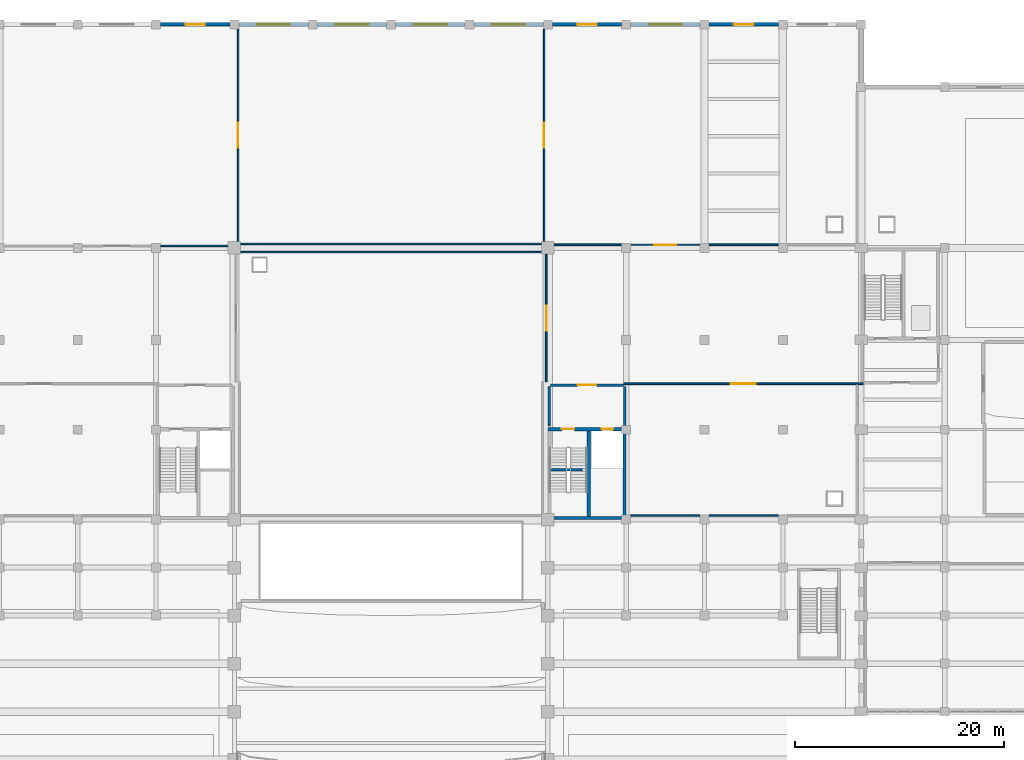
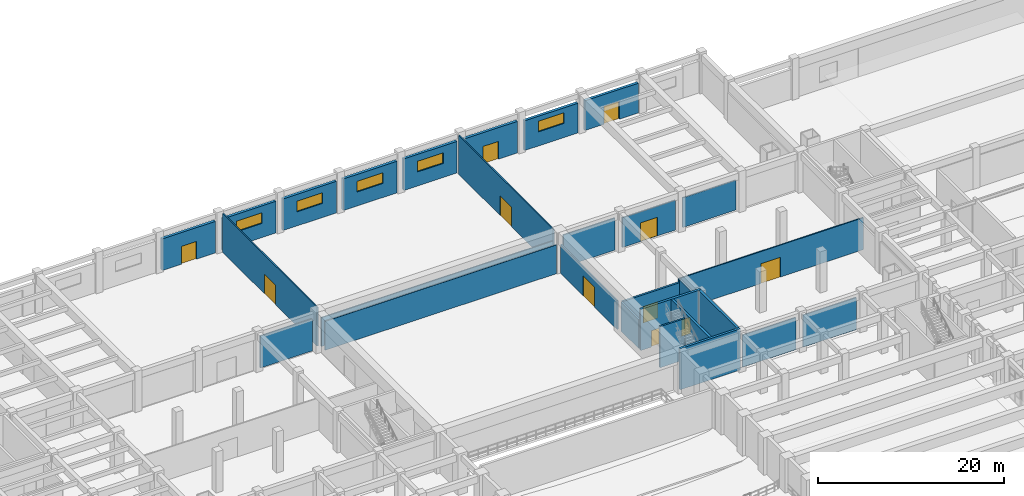
# One storey, part 67 of 84: 28 walls, 11 doors, 5 windows, 16 openings.
"""IFC4 building model written with IfcOpenShell, lengths in metres."""

from ifc_helpers import new_model, si_unit, direction, frame, frame_2d, origin, place, context, subcontext, project, spatial, rectangle, extrude, material, layer, layer_set, type_object, element, fill, save


model = new_model("IFC4")

# Units and contexts
model_context = context("Model", 3, precision=1e-05, world=origin(), true_north=direction((0.0, 1.0)))
body_context = subcontext(model_context, "Body", "Model", "MODEL_VIEW")
ifc_project = project(units=[si_unit("LENGTHUNIT", "METRE"), si_unit("AREAUNIT", "SQUARE_METRE"), si_unit("VOLUMEUNIT", "CUBIC_METRE"), si_unit("PLANEANGLEUNIT", "RADIAN"), si_unit("MASSUNIT", "GRAM", prefix="KILO")], contexts=[model_context])

# Site, building, storey
site_placement = place(None, origin())
site = spatial("IfcSite", under=ifc_project, at=site_placement, CompositionType="ELEMENT")
building_placement = place(site_placement, origin())
building = spatial("IfcBuilding", under=site, at=building_placement, Name="Muzn Square Opera House", CompositionType="ELEMENT")
storey_placement = place(building_placement, origin())
storey = spatial("IfcBuildingStorey", under=building, at=storey_placement, Name="L00", CompositionType="ELEMENT", Elevation=0.0)

# Walls
ifc_material_1 = material(Name="Concrete C45/55", Category="concrete")
ifc_layer_1 = layer(ifc_material_1, 0.300048828125, Name="Concrete C45/55", Category="concrete")
ifc_layer_set_1 = layer_set([ifc_layer_1], Name="Concrete C45/55")
wall_type_1 = type_object("IfcWallType", Name="Core Shear Wall 300mm", PredefinedType="SHEAR", material=ifc_layer_set_1)
wall_1_placement = place(storey_placement, frame((103.0, 72.75, 0.0), z_axis=(0.0, 0.0, 1.0), x_axis=(1.0, 0.0, 0.0)))
element("IfcWall", 1, at=wall_1_placement, inside=storey, type_object=wall_type_1, Name="Core C2 Shear Wall SW-C2-L00-S", PredefinedType="SHEAR", context=body_context, shape_type="SweptSolid", body=[
    extrude(rectangle(XDim=7.5, YDim=0.300048828125, at=frame_2d((3.75, 0.0))), origin(), (0.0, 0.0, 1.0), 5.39990234375),
])
for number, where, z_axis, x_axis, name in (
    (2, (110.35009765625, 72.89990234375, 0.0), (0.0, 0.0, 1.0), (0.0, 1.0, 0.0), "Core C2 Shear Wall SW-C2-L00-E"),
    (3, (106.919921875, 72.89990234375, 0.0), (0.0, 0.0, 1.0), (0.0, 1.0, 0.0), "Core C2 Shear Wall SW-C2-L00-DIV"),
):
    element("IfcWall", number, at=place(storey_placement, frame(where, z_axis=z_axis, x_axis=x_axis)), inside=storey, type_object=wall_type_1, Name=name, PredefinedType="SHEAR", context=body_context, shape_type="SweptSolid", body=[
        extrude(rectangle(XDim=8.2001953125, YDim=0.300048828125, at=frame_2d((4.10009765625, 0.0))), origin(), (0.0, 0.0, 1.0), 5.39990234375),
    ])

# Wall, openings, doors
wall_2_placement = place(storey_placement, frame((103.0, 81.25, 0.0), z_axis=(0.0, 0.0, 1.0), x_axis=(1.0, 0.0, 0.0)))
wall_2 = element("IfcWall", 4, at=wall_2_placement, inside=storey, type_object=wall_type_1, Name="Core C2 Front Shear Wall L00", PredefinedType="SHEAR", context=body_context, shape_type="SweptSolid", body=[
    extrude(rectangle(XDim=7.5, YDim=0.300048828125, at=frame_2d((3.75, 0.0))), origin(), (0.0, 0.0, 1.0), 5.39990234375),
])
opening_1_placement = place(wall_2_placement, frame((1.35009765625, 0.0, 0.0)))
opening_1 = element("IfcOpeningElement", 5, at=opening_1_placement, cuts=wall_2, Name="Opening DR-ST12", PredefinedType="OPENING", context=body_context, shape_type="SweptSolid", body=[
    extrude(rectangle(XDim=1.199951171875, YDim=2.14990234375, at=frame_2d((0.60009765625, 1.074951171875))), frame((0.0, 0.159912109375, 0.0), z_axis=(0.0, -1.0, 0.0), x_axis=(1.0, 0.0, 0.0)), (0.0, 0.0, 1.0), 0.320068359375),
])
opening_2_placement = place(wall_2_placement, frame((5.14990234375, 0.0, 0.0)))
opening_2 = element("IfcOpeningElement", 6, at=opening_2_placement, cuts=wall_2, Name="Opening LD-01", PredefinedType="OPENING", context=body_context, shape_type="SweptSolid", body=[
    extrude(rectangle(XDim=1.10009765625, YDim=2.14990234375, at=frame_2d((0.550048828125, 1.074951171875))), frame((0.0, 0.159912109375, 0.0), z_axis=(0.0, -1.0, 0.0), x_axis=(1.0, 0.0, 0.0)), (0.0, 0.0, 1.0), 0.320068359375),
])
ifc_material_2 = material(Name="Galvanised painted steel leaf", Category="metal")
door_type_1 = type_object("IfcDoorType", Name="Core Stair Fire Door 1200x2150", OperationType="NOTDEFINED", PredefinedType="DOOR", material=ifc_material_2)
door_1_placement = place(opening_1_placement, origin())
door_1 = element("IfcDoor", 7, at=door_1_placement, inside=storey, type_object=door_type_1, Name="Core C2 Stair Door L00", OperationType="SINGLE_SWING_LEFT", OverallHeight=2.14990234375, OverallWidth=1.199951171875, PredefinedType="DOOR", context=body_context, shape_type="SweptSolid", body=[
    extrude(rectangle(XDim=1.199951171875, YDim=2.14990234375, at=frame_2d((0.60009765625, 1.074951171875))), frame((0.0, 0.02490234375, 0.0), z_axis=(0.0, -1.0, 0.0), x_axis=(1.0, 0.0, 0.0)), (0.0, 0.0, 1.0), 0.050048828125),
])
fill(opening_1, door_1)
ifc_material_3 = material(Name="Brushed stainless steel", Category="metal")
door_type_2 = type_object("IfcDoorType", Name="Lift Landing Sliding Door 1100x2150", OperationType="SLIDING_TO_LEFT", PredefinedType="DOOR", material=ifc_material_3)
door_2_placement = place(opening_2_placement, origin())
door_2 = element("IfcDoor", 8, at=door_2_placement, inside=storey, type_object=door_type_2, Name="Lift FFL-2 Sliding Landing Door L00", OperationType="SLIDING_TO_LEFT", OverallHeight=2.14990234375, OverallWidth=1.10009765625, PredefinedType="DOOR", context=body_context, shape_type="SweptSolid", body=[
    extrude(rectangle(XDim=1.10009765625, YDim=2.14990234375, at=frame_2d((0.550048828125, 1.074951171875))), frame((0.0, 0.02490234375, 0.0), z_axis=(0.0, -1.0, 0.0), x_axis=(1.0, 0.0, 0.0)), (0.0, 0.0, 1.0), 0.050048828125),
])
fill(opening_2, door_2)

# Wall, opening, door
ifc_material_4 = material(Name="Concrete C40/50", Category="concrete")
ifc_layer_2 = layer(ifc_material_4, 0.340087890625, Name="Concrete C40/50", Category="concrete")
ifc_layer_set_2 = layer_set([ifc_layer_2], Name="Concrete C40/50")
wall_type_2 = type_object("IfcWallType", Name="Exterior Insulated Spandrel Wall 340mm", PredefinedType="SOLIDWALL", material=ifc_layer_set_2)
wall_3_placement = place(storey_placement, frame((65.925048828125, 120.0, 0.0), z_axis=(0.0, 0.0, 1.0), x_axis=(1.0, 0.0, 0.0)))
wall_3 = element("IfcWall", 9, at=wall_3_placement, inside=storey, type_object=wall_type_2, Name="Exterior Facade Wall EW-L00-034", PredefinedType="SOLIDWALL", context=body_context, shape_type="SweptSolid", body=[
    extrude(rectangle(XDim=6.64990234375, YDim=0.340087890625, at=frame_2d((3.324951171875, 0.0))), origin(), (0.0, 0.0, 1.0), 4.14990234375),
])
opening_3_placement = place(wall_3_placement, frame((2.375, 0.0, 0.0)))
opening_3 = element("IfcOpeningElement", 10, at=opening_3_placement, cuts=wall_3, Name="Opening DR-EX19", PredefinedType="OPENING", context=body_context, shape_type="SweptSolid", body=[
    extrude(rectangle(XDim=1.89990234375, YDim=2.35009765625, at=frame_2d((0.949951171875, 1.175048828125))), frame((0.0, 0.179931640625, 0.0), z_axis=(0.0, -1.0, 0.0), x_axis=(1.0, 0.0, 0.0)), (0.0, 0.0, 1.0), 0.360107421875),
])
ifc_material_5 = material(Name="Anodised bronze aluminium", Category="metal")
door_type_3 = type_object("IfcDoorType", Name="Pedestrian Final Exit Door 1900x2350", OperationType="DOUBLE_DOOR_SINGLE_SWING", PredefinedType="DOOR", material=ifc_material_5)
door_3_placement = place(opening_3_placement, origin())
door_3 = element("IfcDoor", 11, at=door_3_placement, inside=storey, type_object=door_type_3, Name="North Backstage Pedestrian Final Exit Door E-N05", OperationType="DOUBLE_DOOR_SINGLE_SWING", OverallHeight=2.35009765625, OverallWidth=1.89990234375, PredefinedType="DOOR", context=body_context, shape_type="SweptSolid", body=[
    extrude(rectangle(XDim=1.89990234375, YDim=2.35009765625, at=frame_2d((0.949951171875, 1.175048828125))), frame((0.0, 0.02490234375, 0.0), z_axis=(0.0, -1.0, 0.0), x_axis=(1.0, 0.0, 0.0)), (0.0, 0.0, 1.0), 0.050048828125),
])
fill(opening_3, door_3)

# Wall, opening, window
wall_4_placement = place(storey_placement, frame((73.425048828125, 120.0, 0.0), z_axis=(0.0, 0.0, 1.0), x_axis=(1.0, 0.0, 0.0)))
wall_4 = element("IfcWall", 12, at=wall_4_placement, inside=storey, type_object=wall_type_2, Name="Exterior Facade Wall EW-L00-035", PredefinedType="SOLIDWALL", context=body_context, shape_type="SweptSolid", body=[
    extrude(rectangle(XDim=6.64990234375, YDim=0.340087890625, at=frame_2d((3.324951171875, 0.0))), origin(), (0.0, 0.0, 1.0), 4.14990234375),
])
opening_4_placement = place(wall_4_placement, frame((1.72509765625, 0.0, 1.85009765625)))
opening_4 = element("IfcOpeningElement", 13, at=opening_4_placement, cuts=wall_4, Name="Opening WN-S3214", PredefinedType="OPENING", context=body_context, shape_type="SweptSolid", body=[
    extrude(rectangle(XDim=3.199951171875, YDim=1.39990234375, at=frame_2d((1.60009765625, 0.699951171875))), frame((0.0, 0.179931640625, 0.0), z_axis=(0.0, -1.0, 0.0), x_axis=(1.0, 0.0, 0.0)), (0.0, 0.0, 1.0), 0.360107421875),
])
ifc_material_6 = material(Name="Low-E laminated acoustic double glazing", Category="glass")
window_type = type_object("IfcWindowType", Name="Scenery Clerestory Window 3200x1400", PartitioningType="TRIPLE_PANEL_VERTICAL", PredefinedType="WINDOW", material=ifc_material_6)
window_1_placement = place(opening_4_placement, origin())
window_1 = element("IfcWindow", 14, at=window_1_placement, inside=storey, type_object=window_type, Name="Scenery Clerestory Window 3200x1400 EW-L00-035-WN01", OverallHeight=1.39990234375, OverallWidth=3.199951171875, PartitioningType="SINGLE_PANEL", PredefinedType="WINDOW", context=body_context, shape_type="SweptSolid", body=[
    extrude(rectangle(XDim=3.199951171875, YDim=1.39990234375, at=frame_2d((1.60009765625, 0.699951171875))), frame((0.0, 0.030029296875, 0.0), z_axis=(0.0, -1.0, 0.0), x_axis=(1.0, 0.0, 0.0)), (0.0, 0.0, 1.0), 0.06005859375),
])
fill(opening_4, window_1)

wall_5_placement = place(storey_placement, frame((80.925048828125, 120.0, 0.0), z_axis=(0.0, 0.0, 1.0), x_axis=(1.0, 0.0, 0.0)))
wall_5 = element("IfcWall", 15, at=wall_5_placement, inside=storey, type_object=wall_type_2, Name="Exterior Facade Wall EW-L00-036", PredefinedType="SOLIDWALL", context=body_context, shape_type="SweptSolid", body=[
    extrude(rectangle(XDim=6.64990234375, YDim=0.340087890625, at=frame_2d((3.324951171875, 0.0))), origin(), (0.0, 0.0, 1.0), 4.14990234375),
])
opening_5_placement = place(wall_5_placement, frame((1.72509765625, 0.0, 1.85009765625)))
opening_5 = element("IfcOpeningElement", 16, at=opening_5_placement, cuts=wall_5, Name="Opening WN-S3214", PredefinedType="OPENING", context=body_context, shape_type="SweptSolid", body=[
    extrude(rectangle(XDim=3.199951171875, YDim=1.39990234375, at=frame_2d((1.60009765625, 0.699951171875))), frame((0.0, 0.179931640625, 0.0), z_axis=(0.0, -1.0, 0.0), x_axis=(1.0, 0.0, 0.0)), (0.0, 0.0, 1.0), 0.360107421875),
])
window_2_placement = place(opening_5_placement, origin())
window_2 = element("IfcWindow", 17, at=window_2_placement, inside=storey, type_object=window_type, Name="Scenery Clerestory Window 3200x1400 EW-L00-036-WN01", OverallHeight=1.39990234375, OverallWidth=3.199951171875, PartitioningType="SINGLE_PANEL", PredefinedType="WINDOW", context=body_context, shape_type="SweptSolid", body=[
    extrude(rectangle(XDim=3.199951171875, YDim=1.39990234375, at=frame_2d((1.60009765625, 0.699951171875))), frame((0.0, 0.030029296875, 0.0), z_axis=(0.0, -1.0, 0.0), x_axis=(1.0, 0.0, 0.0)), (0.0, 0.0, 1.0), 0.06005859375),
])
fill(opening_5, window_2)

wall_6_placement = place(storey_placement, frame((88.425048828125, 120.0, 0.0), z_axis=(0.0, 0.0, 1.0), x_axis=(1.0, 0.0, 0.0)))
wall_6 = element("IfcWall", 18, at=wall_6_placement, inside=storey, type_object=wall_type_2, Name="Exterior Facade Wall EW-L00-037", PredefinedType="SOLIDWALL", context=body_context, shape_type="SweptSolid", body=[
    extrude(rectangle(XDim=6.64990234375, YDim=0.340087890625, at=frame_2d((3.324951171875, 0.0))), origin(), (0.0, 0.0, 1.0), 4.14990234375),
])
opening_6_placement = place(wall_6_placement, frame((1.72509765625, 0.0, 1.85009765625)))
opening_6 = element("IfcOpeningElement", 19, at=opening_6_placement, cuts=wall_6, Name="Opening WN-S3214", PredefinedType="OPENING", context=body_context, shape_type="SweptSolid", body=[
    extrude(rectangle(XDim=3.199951171875, YDim=1.39990234375, at=frame_2d((1.60009765625, 0.699951171875))), frame((0.0, 0.179931640625, 0.0), z_axis=(0.0, -1.0, 0.0), x_axis=(1.0, 0.0, 0.0)), (0.0, 0.0, 1.0), 0.360107421875),
])
window_3_placement = place(opening_6_placement, origin())
window_3 = element("IfcWindow", 20, at=window_3_placement, inside=storey, type_object=window_type, Name="Scenery Clerestory Window 3200x1400 EW-L00-037-WN01", OverallHeight=1.39990234375, OverallWidth=3.199951171875, PartitioningType="SINGLE_PANEL", PredefinedType="WINDOW", context=body_context, shape_type="SweptSolid", body=[
    extrude(rectangle(XDim=3.199951171875, YDim=1.39990234375, at=frame_2d((1.60009765625, 0.699951171875))), frame((0.0, 0.030029296875, 0.0), z_axis=(0.0, -1.0, 0.0), x_axis=(1.0, 0.0, 0.0)), (0.0, 0.0, 1.0), 0.06005859375),
])
fill(opening_6, window_3)

wall_7_placement = place(storey_placement, frame((95.925048828125, 120.0, 0.0), z_axis=(0.0, 0.0, 1.0), x_axis=(1.0, 0.0, 0.0)))
wall_7 = element("IfcWall", 21, at=wall_7_placement, inside=storey, type_object=wall_type_2, Name="Exterior Facade Wall EW-L00-038", PredefinedType="SOLIDWALL", context=body_context, shape_type="SweptSolid", body=[
    extrude(rectangle(XDim=6.64990234375, YDim=0.340087890625, at=frame_2d((3.324951171875, 0.0))), origin(), (0.0, 0.0, 1.0), 4.14990234375),
])
opening_7_placement = place(wall_7_placement, frame((1.72509765625, 0.0, 1.85009765625)))
opening_7 = element("IfcOpeningElement", 22, at=opening_7_placement, cuts=wall_7, Name="Opening WN-S3214", PredefinedType="OPENING", context=body_context, shape_type="SweptSolid", body=[
    extrude(rectangle(XDim=3.199951171875, YDim=1.39990234375, at=frame_2d((1.60009765625, 0.699951171875))), frame((0.0, 0.179931640625, 0.0), z_axis=(0.0, -1.0, 0.0), x_axis=(1.0, 0.0, 0.0)), (0.0, 0.0, 1.0), 0.360107421875),
])
window_4_placement = place(opening_7_placement, origin())
window_4 = element("IfcWindow", 23, at=window_4_placement, inside=storey, type_object=window_type, Name="Scenery Clerestory Window 3200x1400 EW-L00-038-WN01", OverallHeight=1.39990234375, OverallWidth=3.199951171875, PartitioningType="SINGLE_PANEL", PredefinedType="WINDOW", context=body_context, shape_type="SweptSolid", body=[
    extrude(rectangle(XDim=3.199951171875, YDim=1.39990234375, at=frame_2d((1.60009765625, 0.699951171875))), frame((0.0, 0.030029296875, 0.0), z_axis=(0.0, -1.0, 0.0), x_axis=(1.0, 0.0, 0.0)), (0.0, 0.0, 1.0), 0.06005859375),
])
fill(opening_7, window_4)

# Wall, opening, door
wall_8_placement = place(storey_placement, frame((103.425048828125, 120.0, 0.0), z_axis=(0.0, 0.0, 1.0), x_axis=(1.0, 0.0, 0.0)))
wall_8 = element("IfcWall", 24, at=wall_8_placement, inside=storey, type_object=wall_type_2, Name="Exterior Facade Wall EW-L00-039", PredefinedType="SOLIDWALL", context=body_context, shape_type="SweptSolid", body=[
    extrude(rectangle(XDim=6.64990234375, YDim=0.340087890625, at=frame_2d((3.324951171875, 0.0))), origin(), (0.0, 0.0, 1.0), 4.14990234375),
])
opening_8_placement = place(wall_8_placement, frame((2.375, 0.0, 0.0)))
opening_8 = element("IfcOpeningElement", 25, at=opening_8_placement, cuts=wall_8, Name="Opening DR-EX19", PredefinedType="OPENING", context=body_context, shape_type="SweptSolid", body=[
    extrude(rectangle(XDim=1.89990234375, YDim=2.35009765625, at=frame_2d((0.949951171875, 1.175048828125))), frame((0.0, 0.179931640625, 0.0), z_axis=(0.0, -1.0, 0.0), x_axis=(1.0, 0.0, 0.0)), (0.0, 0.0, 1.0), 0.360107421875),
])
door_4_placement = place(opening_8_placement, origin())
door_4 = element("IfcDoor", 26, at=door_4_placement, inside=storey, type_object=door_type_3, Name="North Backstage Pedestrian Final Exit Door E-N10", OperationType="DOUBLE_DOOR_SINGLE_SWING", OverallHeight=2.35009765625, OverallWidth=1.89990234375, PredefinedType="DOOR", context=body_context, shape_type="SweptSolid", body=[
    extrude(rectangle(XDim=1.89990234375, YDim=2.35009765625, at=frame_2d((0.949951171875, 1.175048828125))), frame((0.0, 0.02490234375, 0.0), z_axis=(0.0, -1.0, 0.0), x_axis=(1.0, 0.0, 0.0)), (0.0, 0.0, 1.0), 0.050048828125),
])
fill(opening_8, door_4)

# Wall, opening, window
wall_9_placement = place(storey_placement, frame((110.925048828125, 120.0, 0.0), z_axis=(0.0, 0.0, 1.0), x_axis=(1.0, 0.0, 0.0)))
wall_9 = element("IfcWall", 27, at=wall_9_placement, inside=storey, type_object=wall_type_2, Name="Exterior Facade Wall EW-L00-040", PredefinedType="SOLIDWALL", context=body_context, shape_type="SweptSolid", body=[
    extrude(rectangle(XDim=6.64990234375, YDim=0.340087890625, at=frame_2d((3.324951171875, 0.0))), origin(), (0.0, 0.0, 1.0), 3.89990234375),
])
opening_9_placement = place(wall_9_placement, frame((1.72509765625, 0.0, 1.85009765625)))
opening_9 = element("IfcOpeningElement", 28, at=opening_9_placement, cuts=wall_9, Name="Opening WN-S3214", PredefinedType="OPENING", context=body_context, shape_type="SweptSolid", body=[
    extrude(rectangle(XDim=3.199951171875, YDim=1.39990234375, at=frame_2d((1.60009765625, 0.699951171875))), frame((0.0, 0.179931640625, 0.0), z_axis=(0.0, -1.0, 0.0), x_axis=(1.0, 0.0, 0.0)), (0.0, 0.0, 1.0), 0.360107421875),
])
window_5_placement = place(opening_9_placement, origin())
window_5 = element("IfcWindow", 29, at=window_5_placement, inside=storey, type_object=window_type, Name="Scenery Clerestory Window 3200x1400 EW-L00-040-WN01", OverallHeight=1.39990234375, OverallWidth=3.199951171875, PartitioningType="SINGLE_PANEL", PredefinedType="WINDOW", context=body_context, shape_type="SweptSolid", body=[
    extrude(rectangle(XDim=3.199951171875, YDim=1.39990234375, at=frame_2d((1.60009765625, 0.699951171875))), frame((0.0, 0.030029296875, 0.0), z_axis=(0.0, -1.0, 0.0), x_axis=(1.0, 0.0, 0.0)), (0.0, 0.0, 1.0), 0.06005859375),
])
fill(opening_9, window_5)

# Wall, opening, door
wall_10_placement = place(storey_placement, frame((118.425048828125, 120.0, 0.0), z_axis=(0.0, 0.0, 1.0), x_axis=(1.0, 0.0, 0.0)))
wall_10 = element("IfcWall", 30, at=wall_10_placement, inside=storey, type_object=wall_type_2, Name="Exterior Facade Wall EW-L00-041", PredefinedType="SOLIDWALL", context=body_context, shape_type="SweptSolid", body=[
    extrude(rectangle(XDim=6.64990234375, YDim=0.340087890625, at=frame_2d((3.324951171875, 0.0))), origin(), (0.0, 0.0, 1.0), 3.89990234375),
])
opening_10_placement = place(wall_10_placement, frame((2.375, 0.0, 0.0)))
opening_10 = element("IfcOpeningElement", 31, at=opening_10_placement, cuts=wall_10, Name="Opening DR-EX19", PredefinedType="OPENING", context=body_context, shape_type="SweptSolid", body=[
    extrude(rectangle(XDim=1.89990234375, YDim=2.35009765625, at=frame_2d((0.949951171875, 1.175048828125))), frame((0.0, 0.179931640625, 0.0), z_axis=(0.0, -1.0, 0.0), x_axis=(1.0, 0.0, 0.0)), (0.0, 0.0, 1.0), 0.360107421875),
])
door_5_placement = place(opening_10_placement, origin())
door_5 = element("IfcDoor", 32, at=door_5_placement, inside=storey, type_object=door_type_3, Name="North Backstage Pedestrian Final Exit Door E-N12", OperationType="DOUBLE_DOOR_SINGLE_SWING", OverallHeight=2.35009765625, OverallWidth=1.89990234375, PredefinedType="DOOR", context=body_context, shape_type="SweptSolid", body=[
    extrude(rectangle(XDim=1.89990234375, YDim=2.35009765625, at=frame_2d((0.949951171875, 1.175048828125))), frame((0.0, 0.02490234375, 0.0), z_axis=(0.0, -1.0, 0.0), x_axis=(1.0, 0.0, 0.0)), (0.0, 0.0, 1.0), 0.050048828125),
])
fill(opening_10, door_5)

ifc_layer_3 = layer(ifc_material_4, 0.239990234375, Name="Concrete C40/50", Category="concrete")
ifc_layer_set_3 = layer_set([ifc_layer_3], Name="Concrete C40/50")
wall_type_3 = type_object("IfcWallType", Name="Firefighting Lobby Wall 240mm", PredefinedType="SOLIDWALL", material=ifc_layer_set_3)
wall_11_placement = place(storey_placement, frame((103.239990234375, 85.47998046875, 0.0), z_axis=(0.0, 0.0, 1.0), x_axis=(1.0, 0.0, 0.0)))
wall_11 = element("IfcWall", 33, at=wall_11_placement, inside=storey, type_object=wall_type_3, Name="Lobby C2 Enclosure Wall L00", PredefinedType="SOLIDWALL", context=body_context, shape_type="SweptSolid", body=[
    extrude(rectangle(XDim=7.02001953125, YDim=0.239990234375, at=frame_2d((3.510009765625, 0.0))), origin(), (0.0, 0.0, 1.0), 3.780029296875),
])
opening_11_placement = place(wall_11_placement, frame((2.610107421875, 0.0, 0.0)))
opening_11 = element("IfcOpeningElement", 34, at=opening_11_placement, cuts=wall_11, Name="Opening DR-FL18", PredefinedType="OPENING", context=body_context, shape_type="SweptSolid", body=[
    extrude(rectangle(XDim=1.800048828125, YDim=2.179931640625, at=frame_2d((0.89990234375, 1.08984375))), frame((0.0, 0.1298828125, 0.0), z_axis=(0.0, -1.0, 0.0), x_axis=(1.0, 0.0, 0.0)), (0.0, 0.0, 1.0), 0.260009765625),
])
door_type_4 = type_object("IfcDoorType", Name="Firefighting Lobby Double Door 1800x2180", OperationType="DOUBLE_DOOR_SINGLE_SWING", PredefinedType="DOOR", material=ifc_material_2)
door_6_placement = place(opening_11_placement, origin())
door_6 = element("IfcDoor", 35, at=door_6_placement, inside=storey, type_object=door_type_4, Name="Lobby C2 Fire Door L00", OperationType="DOUBLE_DOOR_SINGLE_SWING", OverallHeight=2.179931640625, OverallWidth=1.800048828125, PredefinedType="DOOR", context=body_context, shape_type="SweptSolid", body=[
    extrude(rectangle(XDim=1.800048828125, YDim=2.179931640625, at=frame_2d((0.89990234375, 1.08984375))), frame((0.0, 0.02490234375, 0.0), z_axis=(0.0, -1.0, 0.0), x_axis=(1.0, 0.0, 0.0)), (0.0, 0.0, 1.0), 0.050048828125),
])
fill(opening_11, door_6)

# Walls
wall_12_placement = place(storey_placement, frame((103.1201171875, 81.550048828125, 0.0), z_axis=(0.0, 0.0, 1.0), x_axis=(0.0, 1.0, 0.0)))
element("IfcWall", 36, at=wall_12_placement, inside=storey, type_object=wall_type_3, Name="Lobby C2 Side Wall W L00", PredefinedType="SOLIDWALL", context=body_context, shape_type="SweptSolid", body=[
    extrude(rectangle(XDim=3.81005859375, YDim=0.239990234375, at=frame_2d((1.905029296875, 0.0))), origin(), (0.0, 0.0, 1.0), 3.780029296875),
])
wall_13_placement = place(storey_placement, frame((110.3798828125, 81.550048828125, 0.0), z_axis=(0.0, 0.0, 1.0), x_axis=(0.0, 1.0, 0.0)))
element("IfcWall", 37, at=wall_13_placement, inside=storey, type_object=wall_type_3, Name="Lobby C2 Side Wall E L00", PredefinedType="SOLIDWALL", context=body_context, shape_type="SweptSolid", body=[
    extrude(rectangle(XDim=3.81005859375, YDim=0.239990234375, at=frame_2d((1.905029296875, 0.0))), origin(), (0.0, 0.0, 1.0), 4.199951171875),
])
ifc_layer_4 = layer(ifc_material_4, 0.219970703125, Name="Concrete C40/50", Category="concrete")
ifc_layer_set_4 = layer_set([ifc_layer_4], Name="Concrete C40/50")
wall_type_4 = type_object("IfcWallType", Name="Lift Lobby Wall 220mm", PredefinedType="SOLIDWALL", material=ifc_layer_set_4)
wall_14_placement = place(storey_placement, frame((103.179931640625, 77.3798828125, 0.0), z_axis=(0.0, 0.0, 1.0), x_axis=(1.0, 0.0, 0.0)))
element("IfcWall", 38, at=wall_14_placement, inside=storey, type_object=wall_type_4, Name="Core C2 Lift Shaft South Wall L00", PredefinedType="SOLIDWALL", context=body_context, shape_type="SweptSolid", body=[
    extrude(rectangle(XDim=3.1201171875, YDim=0.219970703125, at=frame_2d((1.56005859375, 0.0))), origin(), (0.0, 0.0, 1.0), 5.39990234375),
])

# Wall, opening, door
ifc_material_7 = material(Name="Acoustic gypsum stud partition", Category="gypsum")
ifc_layer_5 = layer(ifc_material_7, 0.14990234375, Name="Acoustic gypsum stud partition", Category="gypsum")
ifc_layer_set_5 = layer_set([ifc_layer_5], Name="Acoustic gypsum stud partition")
wall_type_5 = type_object("IfcWallType", Name="Office Acoustic Partition 150mm", PredefinedType="PARTITIONING", material=ifc_layer_set_5)
wall_15_placement = place(storey_placement, frame((102.85009765625, 85.800048828125, 0.0), z_axis=(0.0, 0.0, 1.0), x_axis=(0.0, 1.0, 0.0)))
wall_15 = element("IfcWall", 39, at=wall_15_placement, inside=storey, type_object=wall_type_5, Name="Interior Partition PW-L00-0040", PredefinedType="PARTITIONING", context=body_context, shape_type="SweptSolid", body=[
    extrude(rectangle(XDim=12.179931640625, YDim=0.14990234375, at=frame_2d((6.08984375, 0.0))), origin(), (0.0, 0.0, 1.0), 3.780029296875),
])
opening_12_placement = place(wall_15_placement, frame((4.889892578125, 0.0, 0.0)))
opening_12 = element("IfcOpeningElement", 40, at=opening_12_placement, cuts=wall_15, Name="Opening DR-SC24", PredefinedType="OPENING", context=body_context, shape_type="SweptSolid", body=[
    extrude(rectangle(XDim=2.39990234375, YDim=2.60009765625, at=frame_2d((1.199951171875, 1.300048828125))), frame((0.0, 0.0849609375, 0.0), z_axis=(0.0, -1.0, 0.0), x_axis=(1.0, 0.0, 0.0)), (0.0, 0.0, 1.0), 0.169921875),
])
door_type_5 = type_object("IfcDoorType", Name="Stage Scenery Double Door 2400x2600", OperationType="DOUBLE_DOOR_SINGLE_SWING", PredefinedType="DOOR", material=ifc_material_2)
door_7_placement = place(opening_12_placement, origin())
door_7 = element("IfcDoor", 41, at=door_7_placement, inside=storey, type_object=door_type_5, Name="Main Stage Door DR-L00-0014", OperationType="DOUBLE_DOOR_SINGLE_SWING", OverallHeight=2.60009765625, OverallWidth=2.39990234375, PredefinedType="DOOR", context=body_context, shape_type="SweptSolid", body=[
    extrude(rectangle(XDim=2.39990234375, YDim=2.60009765625, at=frame_2d((1.199951171875, 1.300048828125))), frame((0.0, 0.02490234375, 0.0), z_axis=(0.0, -1.0, 0.0), x_axis=(1.0, 0.0, 0.0)), (0.0, 0.0, 1.0), 0.050048828125),
])
fill(opening_12, door_7)

wall_16_placement = place(storey_placement, frame((110.264892578125, 85.60009765625, 0.0), z_axis=(0.0, 0.0, 1.0), x_axis=(1.0, 0.0, 0.0)))
wall_16 = element("IfcWall", 42, at=wall_16_placement, inside=storey, type_object=wall_type_5, Name="Interior Partition PW-L00-0044", PredefinedType="PARTITIONING", context=body_context, shape_type="SweptSolid", body=[
    extrude(rectangle(XDim=22.9501953125, YDim=0.14990234375, at=frame_2d((11.47509765625, 0.0))), origin(), (0.0, 0.0, 1.0), 4.199951171875),
])
opening_13_placement = place(wall_16_placement, frame((10.235107421875, 0.0, 0.0)))
opening_13 = element("IfcOpeningElement", 43, at=opening_13_placement, cuts=wall_16, Name="Opening DR-SC24", PredefinedType="OPENING", context=body_context, shape_type="SweptSolid", body=[
    extrude(rectangle(XDim=2.39990234375, YDim=2.60009765625, at=frame_2d((1.199951171875, 1.300048828125))), frame((0.0, 0.0849609375, 0.0), z_axis=(0.0, -1.0, 0.0), x_axis=(1.0, 0.0, 0.0)), (0.0, 0.0, 1.0), 0.169921875),
])
door_8_placement = place(opening_13_placement, origin())
door_8 = element("IfcDoor", 44, at=door_8_placement, inside=storey, type_object=door_type_5, Name="Starboard Side Stage Door DR-L00-0017", OperationType="DOUBLE_DOOR_SINGLE_SWING", OverallHeight=2.60009765625, OverallWidth=2.39990234375, PredefinedType="DOOR", context=body_context, shape_type="SweptSolid", body=[
    extrude(rectangle(XDim=2.39990234375, YDim=2.60009765625, at=frame_2d((1.199951171875, 1.300048828125))), frame((0.0, 0.02490234375, 0.0), z_axis=(0.0, -1.0, 0.0), x_axis=(1.0, 0.0, 0.0)), (0.0, 0.0, 1.0), 0.050048828125),
])
fill(opening_13, door_8)

wall_17_placement = place(storey_placement, frame((73.35009765625, 99.219970703125, 0.0), z_axis=(0.0, 0.0, 1.0), x_axis=(0.0, 1.0, 0.0)))
wall_17 = element("IfcWall", 45, at=wall_17_placement, inside=storey, type_object=wall_type_5, Name="Interior Partition PW-L00-0045", PredefinedType="PARTITIONING", context=body_context, shape_type="SweptSolid", body=[
    extrude(rectangle(XDim=20.3349609375, YDim=0.14990234375, at=frame_2d((10.16748046875, 0.0))), origin(), (0.0, 0.0, 1.0), 5.10009765625),
])
opening_14_placement = place(wall_17_placement, frame((8.967529296875, 0.0, 0.0)))
opening_14 = element("IfcOpeningElement", 46, at=opening_14_placement, cuts=wall_17, Name="Opening DR-SC24", PredefinedType="OPENING", context=body_context, shape_type="SweptSolid", body=[
    extrude(rectangle(XDim=2.39990234375, YDim=2.60009765625, at=frame_2d((1.199951171875, 1.300048828125))), frame((0.0, 0.0849609375, 0.0), z_axis=(0.0, -1.0, 0.0), x_axis=(1.0, 0.0, 0.0)), (0.0, 0.0, 1.0), 0.169921875),
])
door_9_placement = place(opening_14_placement, origin())
door_9 = element("IfcDoor", 47, at=door_9_placement, inside=storey, type_object=door_type_5, Name="Rear Stage Door DR-L00-0018", OperationType="DOUBLE_DOOR_SINGLE_SWING", OverallHeight=2.60009765625, OverallWidth=2.39990234375, PredefinedType="DOOR", context=body_context, shape_type="SweptSolid", body=[
    extrude(rectangle(XDim=2.39990234375, YDim=2.60009765625, at=frame_2d((1.199951171875, 1.300048828125))), frame((0.0, 0.02490234375, 0.0), z_axis=(0.0, -1.0, 0.0), x_axis=(1.0, 0.0, 0.0)), (0.0, 0.0, 1.0), 0.050048828125),
])
fill(opening_14, door_9)

wall_18_placement = place(storey_placement, frame((102.64990234375, 99.219970703125, 0.0), z_axis=(0.0, 0.0, 1.0), x_axis=(0.0, 1.0, 0.0)))
wall_18 = element("IfcWall", 48, at=wall_18_placement, inside=storey, type_object=wall_type_5, Name="Interior Partition PW-L00-0046", PredefinedType="PARTITIONING", context=body_context, shape_type="SweptSolid", body=[
    extrude(rectangle(XDim=20.3349609375, YDim=0.14990234375, at=frame_2d((10.16748046875, 0.0))), origin(), (0.0, 0.0, 1.0), 5.10009765625),
])
opening_15_placement = place(wall_18_placement, frame((8.967529296875, 0.0, 0.0)))
opening_15 = element("IfcOpeningElement", 49, at=opening_15_placement, cuts=wall_18, Name="Opening DR-SC24", PredefinedType="OPENING", context=body_context, shape_type="SweptSolid", body=[
    extrude(rectangle(XDim=2.39990234375, YDim=2.60009765625, at=frame_2d((1.199951171875, 1.300048828125))), frame((0.0, 0.0849609375, 0.0), z_axis=(0.0, -1.0, 0.0), x_axis=(1.0, 0.0, 0.0)), (0.0, 0.0, 1.0), 0.169921875),
])
door_10_placement = place(opening_15_placement, origin())
door_10 = element("IfcDoor", 50, at=door_10_placement, inside=storey, type_object=door_type_5, Name="Rear Stage Door DR-L00-0019", OperationType="DOUBLE_DOOR_SINGLE_SWING", OverallHeight=2.60009765625, OverallWidth=2.39990234375, PredefinedType="DOOR", context=body_context, shape_type="SweptSolid", body=[
    extrude(rectangle(XDim=2.39990234375, YDim=2.60009765625, at=frame_2d((1.199951171875, 1.300048828125))), frame((0.0, 0.02490234375, 0.0), z_axis=(0.0, -1.0, 0.0), x_axis=(1.0, 0.0, 0.0)), (0.0, 0.0, 1.0), 0.050048828125),
])
fill(opening_15, door_10)

# Walls
wall_19_placement = place(storey_placement, frame((73.6201171875, 98.199951171875, 0.0), z_axis=(0.0, 0.0, 1.0), x_axis=(1.0, 0.0, 0.0)))
element("IfcWall", 51, at=wall_19_placement, inside=storey, type_object=wall_type_5, Name="Room Enclosure Partition PW-L00-0100", PredefinedType="PARTITIONING", context=body_context, shape_type="SweptSolid", body=[
    extrude(rectangle(XDim=28.759765625, YDim=0.14990234375, at=frame_2d((14.3798828125, 0.0))), origin(), (0.0, 0.0, 1.0), 3.780029296875),
])
for number, where, z_axis, x_axis, name in (
    (52, (110.945068359375, 73.0, 0.0), (0.0, 0.0, 1.0), (1.0, 0.0, 0.0), "Room Enclosure Partition PW-L00-0106"),
    (53, (118.445068359375, 73.0, 0.0), (0.0, 0.0, 1.0), (1.0, 0.0, 0.0), "Room Enclosure Partition PW-L00-0107"),
):
    element("IfcWall", number, at=place(storey_placement, frame(where, z_axis=z_axis, x_axis=x_axis)), inside=storey, type_object=wall_type_5, Name=name, PredefinedType="PARTITIONING", context=body_context, shape_type="SweptSolid", body=[
        extrude(rectangle(XDim=6.60986328125, YDim=0.14990234375, at=frame_2d((3.304931640625, 0.0))), origin(), (0.0, 0.0, 1.0), 4.199951171875),
    ])
wall_20_placement = place(storey_placement, frame((73.6201171875, 99.0, 0.0), z_axis=(0.0, 0.0, 1.0), x_axis=(1.0, 0.0, 0.0)))
element("IfcWall", 54, at=wall_20_placement, inside=storey, type_object=wall_type_5, Name="Room Enclosure Partition PW-L00-0111", PredefinedType="PARTITIONING", context=body_context, shape_type="SweptSolid", body=[
    extrude(rectangle(XDim=28.759765625, YDim=0.14990234375, at=frame_2d((14.3798828125, 0.0))), origin(), (0.0, 0.0, 1.0), 3.780029296875),
])
ifc_layer_6 = layer(ifc_material_7, 0.159912109375, Name="Acoustic gypsum stud partition", Category="gypsum")
ifc_layer_set_6 = layer_set([ifc_layer_6], Name="Acoustic gypsum stud partition")
wall_type_6 = type_object("IfcWallType", Name="Workshop Rated Partition 160mm", PredefinedType="PARTITIONING", material=ifc_layer_set_6)
wall_21_placement = place(storey_placement, frame((65.945068359375, 98.800048828125, 0.0), z_axis=(0.0, 0.0, 1.0), x_axis=(1.0, 0.0, 0.0)))
element("IfcWall", 55, at=wall_21_placement, inside=storey, type_object=wall_type_6, Name="Interior Partition PW-L00-0051", PredefinedType="PARTITIONING", context=body_context, shape_type="SweptSolid", body=[
    extrude(rectangle(XDim=6.434814453125, YDim=0.159912109375, at=frame_2d((3.21728515625, 0.0))), origin(), (0.0, 0.0, 1.0), 4.199951171875),
])

# Wall, opening, door
wall_22_placement = place(storey_placement, frame((110.945068359375, 98.89990234375, 0.0), z_axis=(0.0, 0.0, 1.0), x_axis=(1.0, 0.0, 0.0)))
wall_22 = element("IfcWall", 56, at=wall_22_placement, inside=storey, type_object=wall_type_6, Name="Interior Partition PW-L00-0052", PredefinedType="PARTITIONING", context=body_context, shape_type="SweptSolid", body=[
    extrude(rectangle(XDim=6.60986328125, YDim=0.159912109375, at=frame_2d((3.304931640625, 0.0))), origin(), (0.0, 0.0, 1.0), 3.89990234375),
])
opening_16_placement = place(wall_22_placement, frame((2.2548828125, 0.0, 0.0)))
opening_16 = element("IfcOpeningElement", 57, at=opening_16_placement, cuts=wall_22, Name="Opening DR-PW21", PredefinedType="OPENING", context=body_context, shape_type="SweptSolid", body=[
    extrude(rectangle(XDim=2.10009765625, YDim=2.449951171875, at=frame_2d((1.050048828125, 1.22509765625))), frame((0.0, 0.08984375, 0.0), z_axis=(0.0, -1.0, 0.0), x_axis=(1.0, 0.0, 0.0)), (0.0, 0.0, 1.0), 0.179931640625),
])
door_type_6 = type_object("IfcDoorType", Name="Prop Workshop Double Door 2100x2450", OperationType="DOUBLE_DOOR_SINGLE_SWING", PredefinedType="DOOR", material=ifc_material_2)
door_11_placement = place(opening_16_placement, origin())
door_11 = element("IfcDoor", 58, at=door_11_placement, inside=storey, type_object=door_type_6, Name="Stage Prop Store Door DR-L00-0022", OperationType="DOUBLE_DOOR_SINGLE_SWING", OverallHeight=2.449951171875, OverallWidth=2.10009765625, PredefinedType="DOOR", context=body_context, shape_type="SweptSolid", body=[
    extrude(rectangle(XDim=2.10009765625, YDim=2.449951171875, at=frame_2d((1.050048828125, 1.22509765625))), frame((0.0, 0.02490234375, 0.0), z_axis=(0.0, -1.0, 0.0), x_axis=(1.0, 0.0, 0.0)), (0.0, 0.0, 1.0), 0.050048828125),
])
fill(opening_16, door_11)

# Walls
wall_23_placement = place(storey_placement, frame((118.445068359375, 98.89990234375, 0.0), z_axis=(0.0, 0.0, 1.0), x_axis=(1.0, 0.0, 0.0)))
element("IfcWall", 59, at=wall_23_placement, inside=storey, type_object=wall_type_6, Name="Interior Partition PW-L00-0053", PredefinedType="PARTITIONING", context=body_context, shape_type="SweptSolid", body=[
    extrude(rectangle(XDim=6.60986328125, YDim=0.159912109375, at=frame_2d((3.304931640625, 0.0))), origin(), (0.0, 0.0, 1.0), 3.89990234375),
])
wall_24_placement = place(storey_placement, frame((103.6201171875, 98.89990234375, 0.0), z_axis=(0.0, 0.0, 1.0), x_axis=(1.0, 0.0, 0.0)))
element("IfcWall", 60, at=wall_24_placement, inside=storey, type_object=wall_type_6, Name="Interior Partition PW-L00-0054", PredefinedType="PARTITIONING", context=body_context, shape_type="SweptSolid", body=[
    extrude(rectangle(XDim=6.434814453125, YDim=0.159912109375, at=frame_2d((3.21728515625, 0.0))), origin(), (0.0, 0.0, 1.0), 4.199951171875),
])

save(model, "model.ifc")
